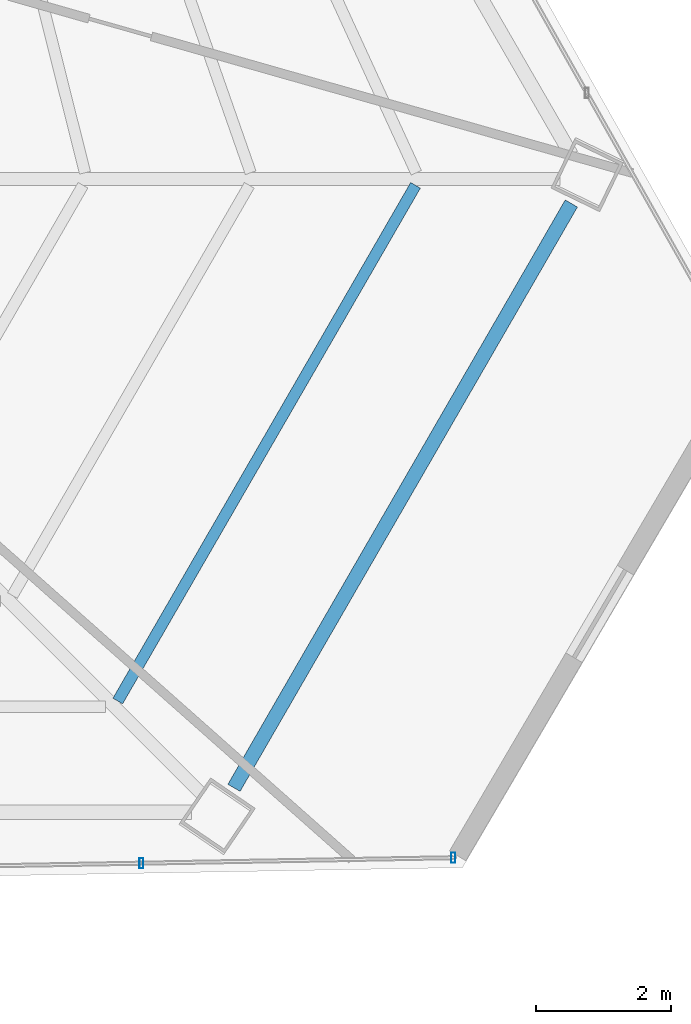
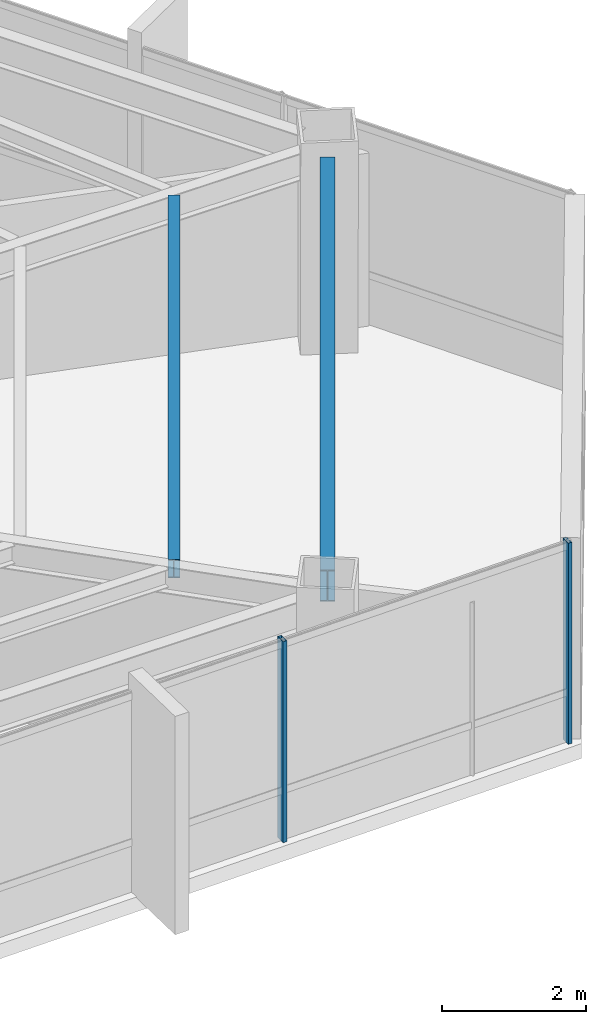
# One storey, part 20 of 42: 2 beams, 2 members, 1 element without a shape of its own.
"""IFC4 building model written with IfcOpenShell, lengths in metres."""

from ifc_helpers import new_model, si_unit, direction, frame, origin, origin_2d, place, context, subcontext, project, spatial, hollow_rectangle, i_section, extrude, source, transform, mapped, material, material_profile, profile_set, type_object, type_shapes, element, aggregate, save


model = new_model("IFC4")

# Units and contexts
model_context = context("Model", 3, precision=1e-05, world=origin(), true_north=direction((0.0, 1.0)))
body_context = subcontext(model_context, "Body", "Model", "MODEL_VIEW")
ifc_project = project(units=[si_unit("LENGTHUNIT", "METRE"), si_unit("AREAUNIT", "SQUARE_METRE"), si_unit("VOLUMEUNIT", "CUBIC_METRE"), si_unit("PLANEANGLEUNIT", "RADIAN"), si_unit("MASSUNIT", "GRAM", prefix="KILO")], contexts=[model_context])

# Site, building, storey
site_placement = place(None, origin())
site = spatial("IfcSite", under=ifc_project, at=site_placement, CompositionType="ELEMENT")
building_placement = place(site_placement, origin())
building = spatial("IfcBuilding", under=site, at=building_placement, Name="Caelisora Broadcast Tower", CompositionType="ELEMENT")
storey_placement = place(building_placement, frame((0.0, 0.0, 187.699951171875)))
storey = spatial("IfcBuildingStorey", under=building, at=storey_placement, Name="L49", CompositionType="ELEMENT", Elevation=187.699951171875)

# Beams
ifc_material_1 = material(Name="Steel Grade 350 (AS/NZS 3679.1)", Category="steel")
ifc_material_profile_1 = material_profile(ifc_material_1, i_section(OverallWidth=0.208984375, OverallDepth=0.532958984375, WebThickness=0.01025390625, FlangeThickness=0.015625, at=origin_2d()), Name="Steel Grade 350 (AS/NZS 3679.1)")
ifc_profile_set_1 = profile_set([ifc_material_profile_1], Name="Steel Grade 350 (AS/NZS 3679.1)")
beam_type_1 = type_object("IfcBeamType", Name="PG05", PredefinedType="BEAM", material=ifc_profile_set_1)
shared_shape_1 = source(origin(), body_context, "Body", "SweptSolid", [
    extrude(i_section(OverallWidth=0.208984375, OverallDepth=0.532958984375, WebThickness=0.01025390625, FlangeThickness=0.015625, at=origin_2d()), origin(), (0.0, 0.0, 1.0), 9.967529296875),
])
type_shapes(beam_type_1, [shared_shape_1])
beam_1_placement = place(storey_placement, frame((55.0458984375, 8.40380859375, 3.133544921875), z_axis=(0.499982533367, 0.866035487915, 0.0), x_axis=(-0.866035487915, 0.499982533367, 0.0)))
element("IfcBeam", 1, at=beam_1_placement, inside=storey, type_object=beam_type_1, Name="L49 beam PG05", PredefinedType="BEAM", context=body_context, shape_type="MappedRepresentation", body=[
    mapped(shared_shape_1, transform((0.0, 0.0, 0.0), scale=1.0)),
])
ifc_material_profile_2 = material_profile(ifc_material_1, i_section(OverallWidth=0.166015625, OverallDepth=0.30712890625, WebThickness=0.006591796875, FlangeThickness=0.01171875, at=origin_2d()), Name="Steel Grade 350 (AS/NZS 3679.1)")
ifc_profile_set_2 = profile_set([ifc_material_profile_2], Name="Steel Grade 350 (AS/NZS 3679.1)")
beam_type_2 = type_object("IfcBeamType", Name="SB03", PredefinedType="JOIST", material=ifc_profile_set_2)
shared_shape_2 = source(origin(), body_context, "Body", "SweptSolid", [
    extrude(i_section(OverallWidth=0.166015625, OverallDepth=0.30712890625, WebThickness=0.006591796875, FlangeThickness=0.01171875, at=origin_2d()), origin(), (0.0, 0.0, 1.0), 8.796630859375),
])
type_shapes(beam_type_2, [shared_shape_2])
beam_2_placement = place(storey_placement, frame((53.329345703125, 9.68603515625, 3.246337890625), z_axis=(0.500007539231, 0.866021050964, 0.0), x_axis=(-0.866021050964, 0.500007539231, 0.0)))
element("IfcBeam", 2, at=beam_2_placement, inside=storey, type_object=beam_type_2, Name="L49 beam SB03", PredefinedType="JOIST", context=body_context, shape_type="MappedRepresentation", body=[
    mapped(shared_shape_2, transform((0.0, 0.0, 0.0), scale=1.0)),
])

# Curtain wall, members
ifc_material_2 = material(Name="Unitised Aluminium and Low-E Glass Curtain Wall", Category="glass")
curtain_wall_type = type_object("IfcCurtainWallType", Name="CW-Z4", PredefinedType="NOTDEFINED", material=ifc_material_2)
curtain_wall_placement = place(storey_placement, origin())
curtain_wall = element("IfcCurtainWall", 3, at=curtain_wall_placement, inside=storey, type_object=curtain_wall_type, Name="L49 curtain wall CW-Z4", PredefinedType="NOTDEFINED")
ifc_material_3 = material(Name="Aluminium 6063-T6 Anodised Terracotta Bronze", Category="aluminium")
ifc_material_profile_3 = material_profile(ifc_material_3, hollow_rectangle(XDim=0.06005859375, YDim=0.14990234375, WallThickness=0.00341796875, at=origin_2d()), Name="Aluminium 6063-T6 Anodised Terracotta Bronze")
ifc_profile_set_3 = profile_set([ifc_material_profile_3], Name="Aluminium 6063-T6 Anodised Terracotta Bronze")
member_type = type_object("IfcMemberType", Name="CWM-03", PredefinedType="MULLION", material=ifc_profile_set_3)
shared_shape_3 = source(origin(), body_context, "Body", "SweptSolid", [
    extrude(hollow_rectangle(XDim=0.06005859375, YDim=0.14990234375, WallThickness=0.00341796875, at=origin_2d()), origin(), (0.0, 0.0, 1.0), 3.400146484375),
])
type_shapes(member_type, [shared_shape_3])
member_1_placement = place(storey_placement, frame((58.284912109375, 7.3720703125, 0.0), z_axis=(0.0, 0.0, 1.0), x_axis=(1.0, 0.0, 0.0)))
member_1 = element("IfcMember", 4, at=member_1_placement, type_object=member_type, Name="L49-CW-B05 mullion #0", PredefinedType="MULLION", context=body_context, shape_type="MappedRepresentation", body=[
    mapped(shared_shape_3, transform((0.0, 0.0, 0.0), scale=1.0)),
])
member_2_placement = place(storey_placement, frame((53.6787109375, 7.291015625, 0.0), z_axis=(0.0, 0.0, 1.0), x_axis=(1.0, 0.0, 0.0)))
member_2 = element("IfcMember", 5, at=member_2_placement, type_object=member_type, Name="L49-CW-B05 mullion #1", PredefinedType="MULLION", context=body_context, shape_type="MappedRepresentation", body=[
    mapped(shared_shape_3, transform((0.0, 0.0, 0.0), scale=1.0)),
])
aggregate(curtain_wall, [member_1, member_2])

save(model, "model.ifc")
